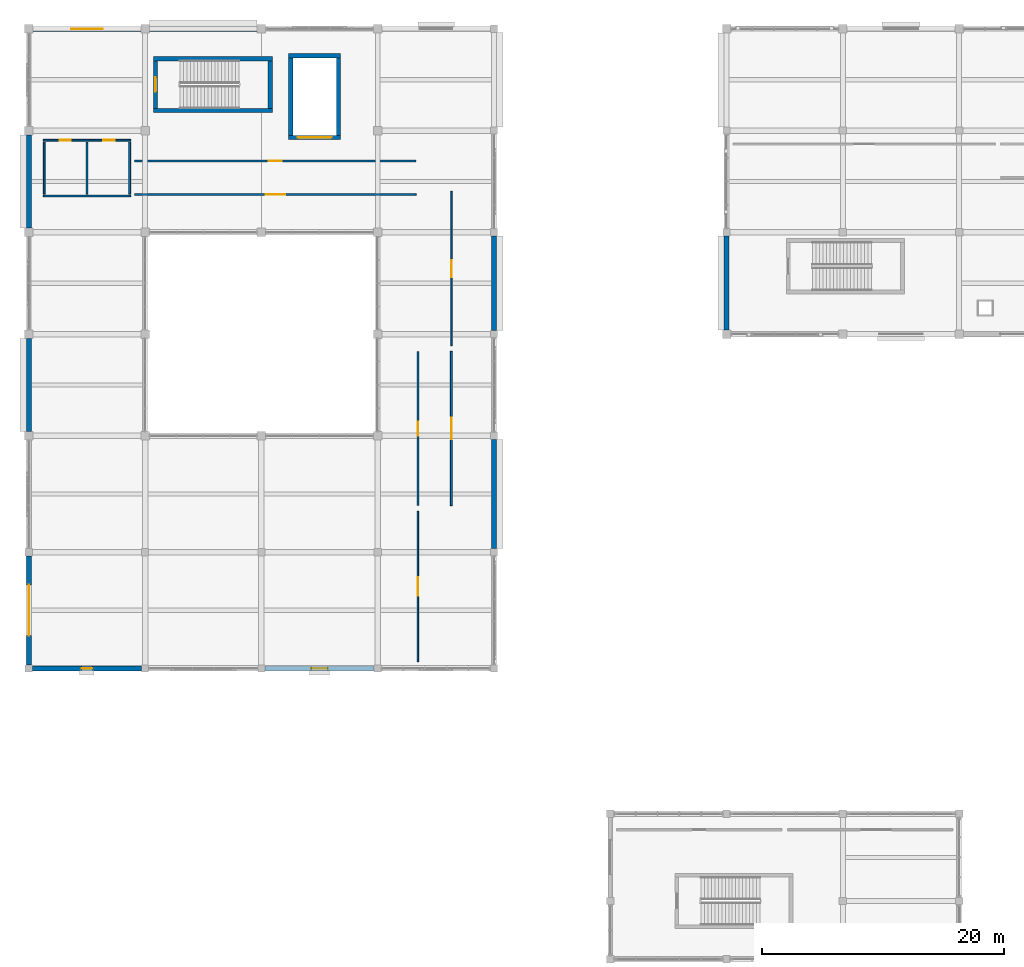
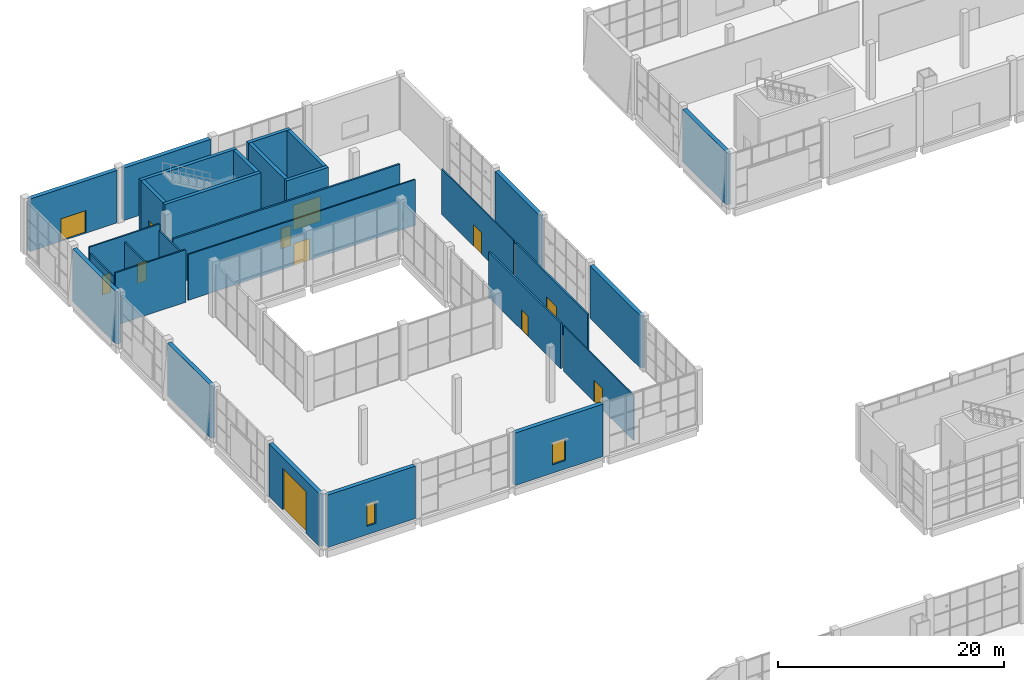
# One storey, part 56 of 84: 29 walls, 12 doors, 2 windows, 14 openings.
"""IFC4 building model written with IfcOpenShell, lengths in metres."""

from ifc_helpers import new_model, si_unit, direction, frame, frame_2d, origin, place, context, subcontext, project, spatial, rectangle, extrude, material, layer, layer_set, type_object, element, fill, save


model = new_model("IFC4")

# Units and contexts
model_context = context("Model", 3, precision=1e-05, world=origin(), true_north=direction((0.0, 1.0)))
body_context = subcontext(model_context, "Body", "Model", "MODEL_VIEW")
ifc_project = project(units=[si_unit("LENGTHUNIT", "METRE"), si_unit("AREAUNIT", "SQUARE_METRE"), si_unit("VOLUMEUNIT", "CUBIC_METRE"), si_unit("PLANEANGLEUNIT", "RADIAN"), si_unit("MASSUNIT", "GRAM", prefix="KILO")], contexts=[model_context])

# Site, building, storey
site_placement = place(None, origin())
site = spatial("IfcSite", under=ifc_project, at=site_placement, CompositionType="ELEMENT")
building_placement = place(site_placement, origin())
building = spatial("IfcBuilding", under=site, at=building_placement, Name="Shalvenor Court Art Gallery", CompositionType="ELEMENT")
storey_placement = place(building_placement, origin())
storey = spatial("IfcBuildingStorey", under=building, at=storey_placement, Name="L00", CompositionType="ELEMENT", Elevation=0.0)

# Walls
ifc_material_1 = material(Name="Concrete C40/50", Category="concrete")
ifc_layer_1 = layer(ifc_material_1, 0.35009765625, Name="Concrete C40/50")
ifc_layer_set_1 = layer_set([ifc_layer_1], Name="Concrete C40/50")
wall_type_1 = type_object("IfcWallType", Name="CW-W1", PredefinedType="SHEAR", material=ifc_layer_set_1)
wall_1_placement = place(storey_placement, frame((10.2880859375, 119.93701171875, 0.0), z_axis=(0.0, 0.0, 1.0), x_axis=(1.0, 0.0, 0.0)))
element("IfcWall", 1, at=wall_1_placement, inside=storey, type_object=wall_type_1, Name="L00 C6 Stair Core Shear Wall N", PredefinedType="SHEAR", context=body_context, shape_type="SweptSolid", body=[
    extrude(rectangle(XDim=9.823974609375, YDim=0.35009765625, at=frame_2d((4.912109375, 0.0))), origin(), (0.0, 0.0, 1.0), 5.679931640625),
])
wall_2_placement = place(storey_placement, frame((19.93701171875, 119.761962890625, 0.0), z_axis=(0.0, 0.0, 1.0), x_axis=(0.0, -1.0, 0.0)))
element("IfcWall", 2, at=wall_2_placement, inside=storey, type_object=wall_type_1, Name="L00 C6 Stair Core Shear Wall E", PredefinedType="SHEAR", context=body_context, shape_type="SweptSolid", body=[
    extrude(rectangle(XDim=3.924072265625, YDim=0.35009765625, at=frame_2d((1.9619140625, 0.0))), origin(), (0.0, 0.0, 1.0), 5.679931640625),
])
wall_3_placement = place(storey_placement, frame((20.112060546875, 115.6630859375, 0.0), z_axis=(0.0, 0.0, 1.0), x_axis=(-1.0, 0.0, 0.0)))
element("IfcWall", 3, at=wall_3_placement, inside=storey, type_object=wall_type_1, Name="L00 C6 Stair Core Shear Wall S", PredefinedType="SHEAR", context=body_context, shape_type="SweptSolid", body=[
    extrude(rectangle(XDim=9.823974609375, YDim=0.35009765625, at=frame_2d((4.912109375, 0.0))), origin(), (0.0, 0.0, 1.0), 5.679931640625),
])

# Wall, opening, door
wall_4_placement = place(storey_placement, frame((10.462890625, 115.837890625, 0.0), z_axis=(0.0, 0.0, 1.0), x_axis=(0.0, 1.0, 0.0)))
wall_4 = element("IfcWall", 4, at=wall_4_placement, inside=storey, type_object=wall_type_1, Name="L00 C6 Stair Core Shear Wall W", PredefinedType="SHEAR", context=body_context, shape_type="SweptSolid", body=[
    extrude(rectangle(XDim=3.924072265625, YDim=0.35009765625, at=frame_2d((1.9619140625, 0.0))), origin(), (0.0, 0.0, 1.0), 5.679931640625),
])
opening_1_placement = place(wall_4_placement, frame((1.362060546875, 0.0, 0.0)))
opening_1 = element("IfcOpeningElement", 5, at=opening_1_placement, cuts=wall_4, Name="Opening FD-01", PredefinedType="OPENING", context=body_context, shape_type="SweptSolid", body=[
    extrude(rectangle(XDim=1.199951171875, YDim=2.199951171875, at=frame_2d((0.60009765625, 1.10009765625))), frame((0.0, 0.18505859375, 0.0), z_axis=(0.0, -1.0, 0.0), x_axis=(1.0, 0.0, 0.0)), (0.0, 0.0, 1.0), 0.3701171875),
])
ifc_material_2 = material(Name="Fire-rated steel stair doorset", Category="steel")
door_type_1 = type_object("IfcDoorType", Name="FD-01", OperationType="NOTDEFINED", PredefinedType="DOOR", material=ifc_material_2)
door_1_placement = place(opening_1_placement, origin())
door_1 = element("IfcDoor", 6, at=door_1_placement, inside=storey, type_object=door_type_1, Name="DR-ST-L00-C6 L00 ST-06 Fire Stair Door", OperationType="SINGLE_SWING_RIGHT", OverallHeight=2.199951171875, OverallWidth=1.199951171875, PredefinedType="DOOR", context=body_context, shape_type="SweptSolid", body=[
    extrude(rectangle(XDim=1.199951171875, YDim=2.199951171875, at=frame_2d((0.60009765625, 1.10009765625))), frame((0.0, 0.02490234375, 0.0), z_axis=(0.0, -1.0, 0.0), x_axis=(1.0, 0.0, 0.0)), (0.0, 0.0, 1.0), 0.050048828125),
])
fill(opening_1, door_1)

# Walls
wall_5_placement = place(storey_placement, frame((21.449951171875, 120.175048828125, 0.0), z_axis=(0.0, 0.0, 1.0), x_axis=(1.0, 0.0, 0.0)))
element("IfcWall", 7, at=wall_5_placement, inside=storey, type_object=wall_type_1, Name="L00 GL-01 Lift Shaft Wall N", PredefinedType="SHEAR", context=body_context, shape_type="SweptSolid", body=[
    extrude(rectangle(XDim=4.300048828125, YDim=0.35009765625, at=frame_2d((2.14990234375, 0.0))), origin(), (0.0, 0.0, 1.0), 5.679931640625),
])
wall_6_placement = place(storey_placement, frame((25.574951171875, 120.0, 0.0), z_axis=(0.0, 0.0, 1.0), x_axis=(0.0, -1.0, 0.0)))
element("IfcWall", 8, at=wall_6_placement, inside=storey, type_object=wall_type_1, Name="L00 GL-01 Lift Shaft Wall E", PredefinedType="SHEAR", context=body_context, shape_type="SweptSolid", body=[
    extrude(rectangle(XDim=6.39990234375, YDim=0.35009765625, at=frame_2d((3.199951171875, 0.0))), origin(), (0.0, 0.0, 1.0), 5.679931640625),
])

# Wall, opening, door
wall_7_placement = place(storey_placement, frame((25.75, 113.425048828125, 0.0), z_axis=(0.0, 0.0, 1.0), x_axis=(-1.0, 0.0, 0.0)))
wall_7 = element("IfcWall", 9, at=wall_7_placement, inside=storey, type_object=wall_type_1, Name="L00 GL-01 Lift Shaft Wall S", PredefinedType="SHEAR", context=body_context, shape_type="SweptSolid", body=[
    extrude(rectangle(XDim=4.300048828125, YDim=0.35009765625, at=frame_2d((2.14990234375, 0.0))), origin(), (0.0, 0.0, 1.0), 5.679931640625),
])
opening_2_placement = place(wall_7_placement, frame((0.75, 0.0, 0.0)))
opening_2 = element("IfcOpeningElement", 10, at=opening_2_placement, cuts=wall_7, Name="Opening LD-03", PredefinedType="OPENING", context=body_context, shape_type="SweptSolid", body=[
    extrude(rectangle(XDim=2.800048828125, YDim=2.699951171875, at=frame_2d((1.39990234375, 1.35009765625))), frame((0.0, 0.18505859375, 0.0), z_axis=(0.0, -1.0, 0.0), x_axis=(1.0, 0.0, 0.0)), (0.0, 0.0, 1.0), 0.3701171875),
])
ifc_material_3 = material(Name="Heavy-duty clean-art freight lift sliding landing door", Category="steel")
door_type_2 = type_object("IfcDoorType", Name="LD-03", OperationType="NOTDEFINED", PredefinedType="DOOR", material=ifc_material_3)
door_2_placement = place(opening_2_placement, origin())
door_2 = element("IfcDoor", 11, at=door_2_placement, inside=storey, type_object=door_type_2, Name="DR-LD-L00-GL-01 L00 GL-01 Lift Landing Sliding Door", OperationType="DOUBLE_DOOR_SLIDING", OverallHeight=2.699951171875, OverallWidth=2.800048828125, PredefinedType="DOOR", context=body_context, shape_type="SweptSolid", body=[
    extrude(rectangle(XDim=2.800048828125, YDim=2.699951171875, at=frame_2d((1.39990234375, 1.35009765625))), frame((0.0, 0.02490234375, 0.0), z_axis=(0.0, -1.0, 0.0), x_axis=(1.0, 0.0, 0.0)), (0.0, 0.0, 1.0), 0.050048828125),
])
fill(opening_2, door_2)

# Walls
wall_8_placement = place(storey_placement, frame((21.625, 113.60009765625, 0.0), z_axis=(0.0, 0.0, 1.0), x_axis=(0.0, 1.0, 0.0)))
element("IfcWall", 12, at=wall_8_placement, inside=storey, type_object=wall_type_1, Name="L00 GL-01 Lift Shaft Wall W", PredefinedType="SHEAR", context=body_context, shape_type="SweptSolid", body=[
    extrude(rectangle(XDim=6.39990234375, YDim=0.35009765625, at=frame_2d((3.199951171875, 0.0))), origin(), (0.0, 0.0, 1.0), 5.679931640625),
])
ifc_material_4 = material(Name="Concrete C40/50", Category="concrete")
ifc_layer_2 = layer(ifc_material_4, 0.419921875, Name="Concrete C40/50")
ifc_layer_set_2 = layer_set([ifc_layer_2], Name="Concrete C40/50")
wall_type_2 = type_object("IfcWallType", Name="EW-02", PredefinedType="SOLIDWALL", material=ifc_layer_set_2)
wall_9_placement = place(storey_placement, frame((57.60009765625, 97.550048828125, 0.0), z_axis=(0.0, 0.0, 1.0), x_axis=(0.0, 1.0, 0.0)))
element("IfcWall", 13, at=wall_9_placement, inside=storey, type_object=wall_type_2, Name="L00 V2 Exterior Wall WL-L00-0130", PredefinedType="SOLIDWALL", context=body_context, shape_type="SweptSolid", body=[
    extrude(rectangle(XDim=7.75, YDim=0.419921875, at=frame_2d((3.875, 0.0))), origin(), (0.0, 0.0, 1.0), 5.679931640625),
])

# Wall, opening, door
wall_10_placement = place(storey_placement, frame((0.35009765625, 122.39990234375, 0.0), z_axis=(0.0, 0.0, 1.0), x_axis=(1.0, 0.0, 0.0)))
wall_10 = element("IfcWall", 14, at=wall_10_placement, inside=storey, type_object=wall_type_2, Name="L00 V5 Exterior Wall WL-L00-0282", PredefinedType="SOLIDWALL", context=body_context, shape_type="SweptSolid", body=[
    extrude(rectangle(XDim=8.89990234375, YDim=0.419921875, at=frame_2d((4.449951171875, 0.0))), origin(), (0.0, 0.0, 1.0), 5.679931640625),
])
opening_3_placement = place(wall_10_placement, frame((3.14990234375, 0.0, 0.0)))
opening_3 = element("IfcOpeningElement", 15, at=opening_3_placement, cuts=wall_10, Name="Opening ED-05", PredefinedType="OPENING", context=body_context, shape_type="SweptSolid", body=[
    extrude(rectangle(XDim=2.60009765625, YDim=2.449951171875, at=frame_2d((1.300048828125, 1.22509765625))), frame((0.0, 0.219970703125, 0.0), z_axis=(0.0, -1.0, 0.0), x_axis=(1.0, 0.0, 0.0)), (0.0, 0.0, 1.0), 0.43994140625),
])
ifc_material_5 = material(Name="Anodised bronze glazed exit doorset", Category="aluminium")
door_type_3 = type_object("IfcDoorType", Name="ED-05", OperationType="NOTDEFINED", PredefinedType="DOOR", material=ifc_material_5)
door_3_placement = place(opening_3_placement, origin())
door_3 = element("IfcDoor", 16, at=door_3_placement, inside=storey, type_object=door_type_3, Name="DR-EX-20 L00 Pedestrian Final Exit Door", OperationType="DOUBLE_DOOR_SINGLE_SWING", OverallHeight=2.449951171875, OverallWidth=2.60009765625, PredefinedType="DOOR", context=body_context, shape_type="SweptSolid", body=[
    extrude(rectangle(XDim=2.60009765625, YDim=2.449951171875, at=frame_2d((1.300048828125, 1.22509765625))), frame((0.0, 0.02490234375, 0.0), z_axis=(0.0, -1.0, 0.0), x_axis=(1.0, 0.0, 0.0)), (0.0, 0.0, 1.0), 0.050048828125),
])
fill(opening_3, door_3)

# Walls
wall_11_placement = place(storey_placement, frame((9.949951171875, 122.39990234375, 0.0), z_axis=(0.0, 0.0, 1.0), x_axis=(1.0, 0.0, 0.0)))
element("IfcWall", 17, at=wall_11_placement, inside=storey, type_object=wall_type_2, Name="L00 V5 Exterior Wall WL-L00-0283", PredefinedType="SOLIDWALL", context=body_context, shape_type="SweptSolid", body=[
    extrude(rectangle(XDim=8.900146484375, YDim=0.419921875, at=frame_2d((4.4501953125, 0.0))), origin(), (0.0, 0.0, 1.0), 5.679931640625),
])
wall_12_placement = place(storey_placement, frame((38.39990234375, 105.300048828125, 0.0), z_axis=(0.0, 0.0, 1.0), x_axis=(0.0, -1.0, 0.0)))
element("IfcWall", 18, at=wall_12_placement, inside=storey, type_object=wall_type_2, Name="L00 V5 Exterior Wall WL-L00-0286", PredefinedType="SOLIDWALL", context=body_context, shape_type="SweptSolid", body=[
    extrude(rectangle(XDim=7.800048828125, YDim=0.419921875, at=frame_2d((3.89990234375, 0.0))), origin(), (0.0, 0.0, 1.0), 5.679931640625),
])
wall_13_placement = place(storey_placement, frame((38.39990234375, 88.5, 0.0), z_axis=(0.0, 0.0, 1.0), x_axis=(0.0, -1.0, 0.0)))
element("IfcWall", 19, at=wall_13_placement, inside=storey, type_object=wall_type_2, Name="L00 V5 Exterior Wall WL-L00-0287", PredefinedType="SOLIDWALL", context=body_context, shape_type="SweptSolid", body=[
    extrude(rectangle(XDim=9.0, YDim=0.419921875, at=frame_2d((4.5, 0.0))), origin(), (0.0, 0.0, 1.0), 5.679931640625),
])

# Wall, opening, window
wall_14_placement = place(storey_placement, frame((28.5, 69.60009765625, 0.0), z_axis=(0.0, 0.0, 1.0), x_axis=(-1.0, 0.0, 0.0)))
wall_14 = element("IfcWall", 20, at=wall_14_placement, inside=storey, type_object=wall_type_2, Name="L00 V5 Exterior Wall WL-L00-0288", PredefinedType="SOLIDWALL", context=body_context, shape_type="SweptSolid", body=[
    extrude(rectangle(XDim=9.0, YDim=0.419921875, at=frame_2d((4.5, 0.0))), origin(), (0.0, 0.0, 1.0), 5.679931640625),
])
opening_4_placement = place(wall_14_placement, frame((3.824951171875, 0.0, 0.89990234375)))
opening_4 = element("IfcOpeningElement", 21, at=opening_4_placement, cuts=wall_14, Name="Opening WN-13", PredefinedType="OPENING", context=body_context, shape_type="SweptSolid", body=[
    extrude(rectangle(XDim=1.35009765625, YDim=2.39990234375, at=frame_2d((0.675048828125, 1.199951171875))), frame((0.0, 0.219970703125, 0.0), z_axis=(0.0, -1.0, 0.0), x_axis=(1.0, 0.0, 0.0)), (0.0, 0.0, 1.0), 0.43994140625),
])
ifc_material_6 = material(Name="Deep-reveal slot limestone window IGU", Category="masonry")
window_type_1 = type_object("IfcWindowType", Name="WN-13", PartitioningType="SINGLE_PANEL", PredefinedType="WINDOW", material=ifc_material_6)
window_1_placement = place(opening_4_placement, origin())
window_1 = element("IfcWindow", 22, at=window_1_placement, inside=storey, type_object=window_type_1, Name="L00 Window WIN-L00-0057", OverallHeight=2.39990234375, OverallWidth=1.35009765625, PartitioningType="SINGLE_PANEL", PredefinedType="WINDOW", context=body_context, shape_type="SweptSolid", body=[
    extrude(rectangle(XDim=1.35009765625, YDim=2.39990234375, at=frame_2d((0.675048828125, 1.199951171875))), frame((0.0, 0.030029296875, 0.0), z_axis=(0.0, -1.0, 0.0), x_axis=(1.0, 0.0, 0.0)), (0.0, 0.0, 1.0), 0.06005859375),
])
fill(opening_4, window_1)

wall_15_placement = place(storey_placement, frame((9.300048828125, 69.60009765625, 0.0), z_axis=(0.0, 0.0, 1.0), x_axis=(-1.0, 0.0, 0.0)))
wall_15 = element("IfcWall", 23, at=wall_15_placement, inside=storey, type_object=wall_type_2, Name="L00 V5 Exterior Wall WL-L00-0289", PredefinedType="SOLIDWALL", context=body_context, shape_type="SweptSolid", body=[
    extrude(rectangle(XDim=9.0, YDim=0.419921875, at=frame_2d((4.5, 0.0))), origin(), (0.0, 0.0, 1.0), 5.679931640625),
])
opening_5_placement = place(wall_15_placement, frame((4.050048828125, 0.0, 0.89990234375)))
opening_5 = element("IfcOpeningElement", 24, at=opening_5_placement, cuts=wall_15, Name="Opening WN-14", PredefinedType="OPENING", context=body_context, shape_type="SweptSolid", body=[
    extrude(rectangle(XDim=0.89990234375, YDim=2.39990234375, at=frame_2d((0.449951171875, 1.199951171875))), frame((0.0, 0.219970703125, 0.0), z_axis=(0.0, -1.0, 0.0), x_axis=(1.0, 0.0, 0.0)), (0.0, 0.0, 1.0), 0.43994140625),
])
ifc_material_7 = material(Name="Deep-reveal slot limestone window IGU", Category="masonry")
window_type_2 = type_object("IfcWindowType", Name="WN-14", PartitioningType="SINGLE_PANEL", PredefinedType="WINDOW", material=ifc_material_7)
window_2_placement = place(opening_5_placement, origin())
window_2 = element("IfcWindow", 25, at=window_2_placement, inside=storey, type_object=window_type_2, Name="L00 Window WIN-L00-0058", OverallHeight=2.39990234375, OverallWidth=0.89990234375, PartitioningType="SINGLE_PANEL", PredefinedType="WINDOW", context=body_context, shape_type="SweptSolid", body=[
    extrude(rectangle(XDim=0.89990234375, YDim=2.39990234375, at=frame_2d((0.449951171875, 1.199951171875))), frame((0.0, 0.030029296875, 0.0), z_axis=(0.0, -1.0, 0.0), x_axis=(1.0, 0.0, 0.0)), (0.0, 0.0, 1.0), 0.06005859375),
])
fill(opening_5, window_2)

# Wall, opening, door
wall_16_placement = place(storey_placement, frame((0.0, 69.89990234375, 0.0), z_axis=(0.0, 0.0, 1.0), x_axis=(0.0, 1.0, 0.0)))
wall_16 = element("IfcWall", 26, at=wall_16_placement, inside=storey, type_object=wall_type_2, Name="L00 V5 Exterior Wall WL-L00-0290", PredefinedType="SOLIDWALL", context=body_context, shape_type="SweptSolid", body=[
    extrude(rectangle(XDim=9.0, YDim=0.419921875, at=frame_2d((4.5, 0.0))), origin(), (0.0, 0.0, 1.0), 5.679931640625),
])
opening_6_placement = place(wall_16_placement, frame((2.39990234375, 0.0, 0.0)))
opening_6 = element("IfcOpeningElement", 27, at=opening_6_placement, cuts=wall_16, Name="Opening SH-01", PredefinedType="OPENING", context=body_context, shape_type="SweptSolid", body=[
    extrude(rectangle(XDim=4.199951171875, YDim=4.5, at=frame_2d((2.10009765625, 2.25))), frame((0.0, 0.219970703125, 0.0), z_axis=(0.0, -1.0, 0.0), x_axis=(1.0, 0.0, 0.0)), (0.0, 0.0, 1.0), 0.43994140625),
])
ifc_material_8 = material(Name="Insulated steel acoustic loading shutter", Category="steel")
door_type_4 = type_object("IfcDoorType", Name="SH-01", OperationType="ROLLINGUP", PredefinedType="DOOR", material=ifc_material_8)
door_4_placement = place(opening_6_placement, origin())
door_4 = element("IfcDoor", 28, at=door_4_placement, inside=storey, type_object=door_type_4, Name="DR-SH-047 L00 Art Loading Dock Roller Shutter", OperationType="ROLLINGUP", OverallHeight=4.5, OverallWidth=4.199951171875, PredefinedType="DOOR", context=body_context, shape_type="SweptSolid", body=[
    extrude(rectangle(XDim=4.199951171875, YDim=4.5, at=frame_2d((2.10009765625, 2.25))), frame((0.0, 0.02490234375, 0.0), z_axis=(0.0, -1.0, 0.0), x_axis=(1.0, 0.0, 0.0)), (0.0, 0.0, 1.0), 0.050048828125),
])
fill(opening_6, door_4)

# Walls
wall_17_placement = place(storey_placement, frame((0.0, 89.14990234375, 0.0), z_axis=(0.0, 0.0, 1.0), x_axis=(0.0, 1.0, 0.0)))
element("IfcWall", 29, at=wall_17_placement, inside=storey, type_object=wall_type_2, Name="L00 V5 Exterior Wall WL-L00-0291", PredefinedType="SOLIDWALL", context=body_context, shape_type="SweptSolid", body=[
    extrude(rectangle(XDim=7.7001953125, YDim=0.419921875, at=frame_2d((3.85009765625, 0.0))), origin(), (0.0, 0.0, 1.0), 5.679931640625),
])
wall_18_placement = place(storey_placement, frame((0.0, 105.949951171875, 0.0), z_axis=(0.0, 0.0, 1.0), x_axis=(0.0, 1.0, 0.0)))
element("IfcWall", 30, at=wall_18_placement, inside=storey, type_object=wall_type_2, Name="L00 V5 Exterior Wall WL-L00-0292", PredefinedType="SOLIDWALL", context=body_context, shape_type="SweptSolid", body=[
    extrude(rectangle(XDim=7.699951171875, YDim=0.419921875, at=frame_2d((3.85009765625, 0.0))), origin(), (0.0, 0.0, 1.0), 5.679931640625),
])

# Wall, opening, door
ifc_material_9 = material(Name="Plywood-backed acoustic art-hanging partition", Category="wood")
ifc_layer_3 = layer(ifc_material_9, 0.179931640625, Name="Plywood-backed acoustic art-hanging partition")
ifc_layer_set_3 = layer_set([ifc_layer_3], Name="Plywood-backed acoustic art-hanging partition")
wall_type_3 = type_object("IfcWallType", Name="PT-01", PredefinedType="PARTITIONING", material=ifc_layer_set_3)
wall_19_placement = place(storey_placement, frame((32.1201171875, 95.77001953125, 0.0), z_axis=(0.0, 0.0, 1.0), x_axis=(0.0, -1.0, 0.0)))
wall_19 = element("IfcWall", 31, at=wall_19_placement, inside=storey, type_object=wall_type_3, Name="L00 Crate Acclimatisation Hall Partition 613", PredefinedType="PARTITIONING", context=body_context, shape_type="SweptSolid", body=[
    extrude(rectangle(XDim=12.739990234375, YDim=0.179931640625, at=frame_2d((6.3701171875, 0.0))), origin(), (0.0, 0.0, 1.0), 4.905029296875),
])
opening_7_placement = place(wall_19_placement, frame((5.794921875, 0.0, 0.0)))
opening_7 = element("IfcOpeningElement", 32, at=opening_7_placement, cuts=wall_19, Name="Opening ID-10", PredefinedType="OPENING", context=body_context, shape_type="SweptSolid", body=[
    extrude(rectangle(XDim=1.14990234375, YDim=2.199951171875, at=frame_2d((0.574951171875, 1.10009765625))), frame((0.0, 0.099853515625, 0.0), z_axis=(0.0, -1.0, 0.0), x_axis=(1.0, 0.0, 0.0)), (0.0, 0.0, 1.0), 0.199951171875),
])
ifc_material_10 = material(Name="Acoustic conservation lab single doorset", Category="steel")
door_type_5 = type_object("IfcDoorType", Name="ID-10", OperationType="NOTDEFINED", PredefinedType="DOOR", material=ifc_material_10)
door_5_placement = place(opening_7_placement, origin())
door_5 = element("IfcDoor", 33, at=door_5_placement, inside=storey, type_object=door_type_5, Name="DR-RM-L00-0144 L00 Crate Acclimatisation Hall Door", OperationType="SINGLE_SWING_RIGHT", OverallHeight=2.199951171875, OverallWidth=1.14990234375, PredefinedType="DOOR", context=body_context, shape_type="SweptSolid", body=[
    extrude(rectangle(XDim=1.14990234375, YDim=2.199951171875, at=frame_2d((0.574951171875, 1.10009765625))), frame((0.0, 0.02490234375, 0.0), z_axis=(0.0, -1.0, 0.0), x_axis=(1.0, 0.0, 0.0)), (0.0, 0.0, 1.0), 0.050048828125),
])
fill(opening_7, door_5)

wall_20_placement = place(storey_placement, frame((31.969970703125, 111.47998046875, 0.0), z_axis=(0.0, 0.0, 1.0), x_axis=(-1.0, 0.0, 0.0)))
wall_20 = element("IfcWall", 34, at=wall_20_placement, inside=storey, type_object=wall_type_3, Name="L00 Painting Conservation Laboratory Partition 617", PredefinedType="PARTITIONING", context=body_context, shape_type="SweptSolid", body=[
    extrude(rectangle(XDim=23.239990234375, YDim=0.179931640625, at=frame_2d((11.6201171875, 0.0))), origin(), (0.0, 0.0, 1.0), 4.955078125),
])
opening_8_placement = place(wall_20_placement, frame((11.094970703125, 0.0, 0.0)))
opening_8 = element("IfcOpeningElement", 35, at=opening_8_placement, cuts=wall_20, Name="Opening ID-04", PredefinedType="OPENING", context=body_context, shape_type="SweptSolid", body=[
    extrude(rectangle(XDim=1.050048828125, YDim=2.199951171875, at=frame_2d((0.52490234375, 1.10009765625))), frame((0.0, 0.099853515625, 0.0), z_axis=(0.0, -1.0, 0.0), x_axis=(1.0, 0.0, 0.0)), (0.0, 0.0, 1.0), 0.199951171875),
])
ifc_material_11 = material(Name="Oak-veneered accessible room doorset", Category="wood")
door_type_6 = type_object("IfcDoorType", Name="ID-04", OperationType="NOTDEFINED", PredefinedType="DOOR", material=ifc_material_11)
door_6_placement = place(opening_8_placement, origin())
door_6 = element("IfcDoor", 36, at=door_6_placement, inside=storey, type_object=door_type_6, Name="DR-RM-L00-0148 L00 Painting Conservation Laboratory Door", OperationType="SINGLE_SWING_LEFT", OverallHeight=2.199951171875, OverallWidth=1.050048828125, PredefinedType="DOOR", context=body_context, shape_type="SweptSolid", body=[
    extrude(rectangle(XDim=1.050048828125, YDim=2.199951171875, at=frame_2d((0.52490234375, 1.10009765625))), frame((0.0, 0.02490234375, 0.0), z_axis=(0.0, -1.0, 0.0), x_axis=(1.0, 0.0, 0.0)), (0.0, 0.0, 1.0), 0.050048828125),
])
fill(opening_8, door_6)

ifc_material_12 = material(Name="Double-stud acoustic gallery partition", Category="other")
ifc_layer_4 = layer(ifc_material_12, 0.1650390625, Name="Double-stud acoustic gallery partition")
ifc_layer_set_4 = layer_set([ifc_layer_4], Name="Double-stud acoustic gallery partition")
wall_type_4 = type_object("IfcWallType", Name="PT-02", PredefinedType="PARTITIONING", material=ifc_layer_set_4)
wall_21_placement = place(storey_placement, frame((34.8798828125, 83.030029296875, 0.0), z_axis=(0.0, 0.0, 1.0), x_axis=(0.0, 1.0, 0.0)))
wall_21 = element("IfcWall", 37, at=wall_21_placement, inside=storey, type_object=wall_type_4, Name="L00 Crate Acclimatisation Hall Wing B Partition 614", PredefinedType="PARTITIONING", context=body_context, shape_type="SweptSolid", body=[
    extrude(rectangle(XDim=12.739990234375, YDim=0.1650390625, at=frame_2d((6.3701171875, 0.0))), origin(), (0.0, 0.0, 1.0), 4.905029296875),
])
opening_9_placement = place(wall_21_placement, frame((5.469970703125, 0.0, 0.0)))
opening_9 = element("IfcOpeningElement", 38, at=opening_9_placement, cuts=wall_21, Name="Opening ID-01", PredefinedType="OPENING", context=body_context, shape_type="SweptSolid", body=[
    extrude(rectangle(XDim=1.800048828125, YDim=2.39990234375, at=frame_2d((0.89990234375, 1.199951171875))), frame((0.0, 0.092529296875, 0.0), z_axis=(0.0, -1.0, 0.0), x_axis=(1.0, 0.0, 0.0)), (0.0, 0.0, 1.0), 0.18505859375),
])
ifc_material_13 = material(Name="Oak-veneered acoustic gallery double doorset", Category="wood")
door_type_7 = type_object("IfcDoorType", Name="ID-01", OperationType="NOTDEFINED", PredefinedType="DOOR", material=ifc_material_13)
door_7_placement = place(opening_9_placement, origin())
door_7 = element("IfcDoor", 39, at=door_7_placement, inside=storey, type_object=door_type_7, Name="DR-RM-L00-0145 L00 Crate Acclimatisation Hall Wing B Door", OperationType="DOUBLE_DOOR_SINGLE_SWING", OverallHeight=2.39990234375, OverallWidth=1.800048828125, PredefinedType="DOOR", context=body_context, shape_type="SweptSolid", body=[
    extrude(rectangle(XDim=1.800048828125, YDim=2.39990234375, at=frame_2d((0.89990234375, 1.199951171875))), frame((0.0, 0.02490234375, 0.0), z_axis=(0.0, -1.0, 0.0), x_axis=(1.0, 0.0, 0.0)), (0.0, 0.0, 1.0), 0.050048828125),
])
fill(opening_9, door_7)

# Wall, openings, doors
ifc_material_14 = material(Name="Moisture-resistant sanitary partition", Category="other")
ifc_layer_5 = layer(ifc_material_14, 0.14990234375, Name="Moisture-resistant sanitary partition")
ifc_layer_set_5 = layer_set([ifc_layer_5], Name="Moisture-resistant sanitary partition")
wall_type_5 = type_object("IfcWallType", Name="PT-03", PredefinedType="PARTITIONING", material=ifc_layer_set_5)
wall_22_placement = place(storey_placement, frame((1.199951171875, 113.199951171875, 0.0), z_axis=(0.0, 0.0, 1.0), x_axis=(1.0, 0.0, 0.0)))
wall_22 = element("IfcWall", 40, at=wall_22_placement, inside=storey, type_object=wall_type_5, Name="L00 C6 Restroom Front Partition", PredefinedType="PARTITIONING", context=body_context, shape_type="SweptSolid", body=[
    extrude(rectangle(XDim=7.199951171875, YDim=0.14990234375, at=frame_2d((3.60009765625, 0.0))), origin(), (0.0, 0.0, 1.0), 5.679931640625),
])
opening_10_placement = place(wall_22_placement, frame((1.35009765625, 0.0, 0.0)))
opening_10 = element("IfcOpeningElement", 41, at=opening_10_placement, cuts=wall_22, Name="Opening ID-07", PredefinedType="OPENING", context=body_context, shape_type="SweptSolid", body=[
    extrude(rectangle(XDim=0.89990234375, YDim=2.10009765625, at=frame_2d((0.449951171875, 1.050048828125))), frame((0.0, 0.0849609375, 0.0), z_axis=(0.0, -1.0, 0.0), x_axis=(1.0, 0.0, 0.0)), (0.0, 0.0, 1.0), 0.169921875),
])
opening_11_placement = place(wall_22_placement, frame((4.925048828125, 0.0, 0.0)))
opening_11 = element("IfcOpeningElement", 42, at=opening_11_placement, cuts=wall_22, Name="Opening ID-06", PredefinedType="OPENING", context=body_context, shape_type="SweptSolid", body=[
    extrude(rectangle(XDim=0.949951171875, YDim=2.14990234375, at=frame_2d((0.47509765625, 1.074951171875))), frame((0.0, 0.0849609375, 0.0), z_axis=(0.0, -1.0, 0.0), x_axis=(1.0, 0.0, 0.0)), (0.0, 0.0, 1.0), 0.169921875),
])
ifc_material_15 = material(Name="Accessible restroom doorset", Category="steel")
door_type_8 = type_object("IfcDoorType", Name="ID-06", OperationType="NOTDEFINED", PredefinedType="DOOR", material=ifc_material_15)
door_8_placement = place(opening_11_placement, origin())
door_8 = element("IfcDoor", 43, at=door_8_placement, inside=storey, type_object=door_type_8, Name="DR-AWC-L00-C6-2 L00 C6 Accessible Restroom Door", OperationType="SINGLE_SWING_RIGHT", OverallHeight=2.14990234375, OverallWidth=0.949951171875, PredefinedType="DOOR", context=body_context, shape_type="SweptSolid", body=[
    extrude(rectangle(XDim=0.949951171875, YDim=2.14990234375, at=frame_2d((0.47509765625, 1.074951171875))), frame((0.0, 0.02490234375, 0.0), z_axis=(0.0, -1.0, 0.0), x_axis=(1.0, 0.0, 0.0)), (0.0, 0.0, 1.0), 0.050048828125),
])
fill(opening_11, door_8)
ifc_material_16 = material(Name="Restroom timber doorset", Category="wood")
door_type_9 = type_object("IfcDoorType", Name="ID-07", OperationType="NOTDEFINED", PredefinedType="DOOR", material=ifc_material_16)
door_9_placement = place(opening_10_placement, origin())
door_9 = element("IfcDoor", 44, at=door_9_placement, inside=storey, type_object=door_type_9, Name="DR-WC-L00-C6-1 L00 C6 Public Restroom Door", OperationType="SINGLE_SWING_LEFT", OverallHeight=2.10009765625, OverallWidth=0.89990234375, PredefinedType="DOOR", context=body_context, shape_type="SweptSolid", body=[
    extrude(rectangle(XDim=0.89990234375, YDim=2.10009765625, at=frame_2d((0.449951171875, 1.050048828125))), frame((0.0, 0.02490234375, 0.0), z_axis=(0.0, -1.0, 0.0), x_axis=(1.0, 0.0, 0.0)), (0.0, 0.0, 1.0), 0.050048828125),
])
fill(opening_10, door_9)

# Walls
wall_23_placement = place(storey_placement, frame((1.199951171875, 108.60009765625, 0.0), z_axis=(0.0, 0.0, 1.0), x_axis=(1.0, 0.0, 0.0)))
element("IfcWall", 45, at=wall_23_placement, inside=storey, type_object=wall_type_5, Name="L00 C6 Restroom Back Partition", PredefinedType="PARTITIONING", context=body_context, shape_type="SweptSolid", body=[
    extrude(rectangle(XDim=7.199951171875, YDim=0.14990234375, at=frame_2d((3.60009765625, 0.0))), origin(), (0.0, 0.0, 1.0), 5.679931640625),
])
for number, where, z_axis, x_axis, name in (
    (46, (1.27490234375, 108.760009765625, 0.0), (0.0, 0.0, 1.0), (0.0, 1.0, 0.0), "L00 C6 Restroom Partition L"),
    (47, (4.800048828125, 108.760009765625, 0.0), (0.0, 0.0, 1.0), (0.0, 1.0, 0.0), "L00 C6 Restroom Partition M"),
    (48, (8.324951171875, 108.760009765625, 0.0), (0.0, 0.0, 1.0), (0.0, 1.0, 0.0), "L00 C6 Restroom Partition R"),
):
    element("IfcWall", number, at=place(storey_placement, frame(where, z_axis=z_axis, x_axis=x_axis)), inside=storey, type_object=wall_type_5, Name=name, PredefinedType="PARTITIONING", context=body_context, shape_type="SweptSolid", body=[
        extrude(rectangle(XDim=4.280029296875, YDim=0.14990234375, at=frame_2d((2.14013671875, 0.0))), origin(), (0.0, 0.0, 1.0), 5.054931640625),
    ])

# Wall, opening, door
ifc_material_17 = material(Name="Insulated studio acoustic partition", Category="other")
ifc_layer_6 = layer(ifc_material_17, 0.135009765625, Name="Insulated studio acoustic partition")
ifc_layer_set_6 = layer_set([ifc_layer_6], Name="Insulated studio acoustic partition")
wall_type_6 = type_object("IfcWallType", Name="PT-04", PredefinedType="PARTITIONING", material=ifc_layer_set_6)
wall_24_placement = place(storey_placement, frame((8.72998046875, 108.719970703125, 0.0), z_axis=(0.0, 0.0, 1.0), x_axis=(1.0, 0.0, 0.0)))
wall_24 = element("IfcWall", 49, at=wall_24_placement, inside=storey, type_object=wall_type_6, Name="L00 Education Art Workshop Partition 615", PredefinedType="PARTITIONING", context=body_context, shape_type="SweptSolid", body=[
    extrude(rectangle(XDim=23.239990234375, YDim=0.135009765625, at=frame_2d((11.6201171875, 0.0))), origin(), (0.0, 0.0, 1.0), 4.955078125),
])
opening_12_placement = place(wall_24_placement, frame((10.820068359375, 0.0, 0.0)))
opening_12 = element("IfcOpeningElement", 50, at=opening_12_placement, cuts=wall_24, Name="Opening ID-02", PredefinedType="OPENING", context=body_context, shape_type="SweptSolid", body=[
    extrude(rectangle(XDim=1.60009765625, YDim=2.35009765625, at=frame_2d((0.800048828125, 1.175048828125))), frame((0.0, 0.077392578125, 0.0), z_axis=(0.0, -1.0, 0.0), x_axis=(1.0, 0.0, 0.0)), (0.0, 0.0, 1.0), 0.155029296875),
])
ifc_material_18 = material(Name="Oak-veneered gallery double doorset", Category="wood")
door_type_10 = type_object("IfcDoorType", Name="ID-02", OperationType="NOTDEFINED", PredefinedType="DOOR", material=ifc_material_18)
door_10_placement = place(opening_12_placement, origin())
door_10 = element("IfcDoor", 51, at=door_10_placement, inside=storey, type_object=door_type_10, Name="DR-RM-L00-0146 L00 Education Art Workshop Door", OperationType="DOUBLE_DOOR_SINGLE_SWING", OverallHeight=2.35009765625, OverallWidth=1.60009765625, PredefinedType="DOOR", context=body_context, shape_type="SweptSolid", body=[
    extrude(rectangle(XDim=1.60009765625, YDim=2.35009765625, at=frame_2d((0.800048828125, 1.175048828125))), frame((0.0, 0.02490234375, 0.0), z_axis=(0.0, -1.0, 0.0), x_axis=(1.0, 0.0, 0.0)), (0.0, 0.0, 1.0), 0.050048828125),
])
fill(opening_12, door_10)

ifc_material_19 = material(Name="Lightweight office gypsum partition", Category="other")
ifc_layer_7 = layer(ifc_material_19, 0.1201171875, Name="Lightweight office gypsum partition")
ifc_layer_set_7 = layer_set([ifc_layer_7], Name="Lightweight office gypsum partition")
wall_type_7 = type_object("IfcWallType", Name="PT-05", PredefinedType="PARTITIONING", material=ifc_layer_set_7)
wall_25_placement = place(storey_placement, frame((32.1201171875, 82.570068359375, 0.0), z_axis=(0.0, 0.0, 1.0), x_axis=(0.0, -1.0, 0.0)))
wall_25 = element("IfcWall", 52, at=wall_25_placement, inside=storey, type_object=wall_type_7, Name="L00 Loading Dock Partition 612", PredefinedType="PARTITIONING", context=body_context, shape_type="SweptSolid", body=[
    extrude(rectangle(XDim=12.420166015625, YDim=0.1201171875, at=frame_2d((6.2099609375, 0.0))), origin(), (0.0, 0.0, 1.0), 4.905029296875),
])
opening_13_placement = place(wall_25_placement, frame((5.4599609375, 0.0, 0.0)))
opening_13 = element("IfcOpeningElement", 53, at=opening_13_placement, cuts=wall_25, Name="Opening ID-09", PredefinedType="OPENING", context=body_context, shape_type="SweptSolid", body=[
    extrude(rectangle(XDim=1.5, YDim=2.300048828125, at=frame_2d((0.75, 1.14990234375))), frame((0.0, 0.070068359375, 0.0), z_axis=(0.0, -1.0, 0.0), x_axis=(1.0, 0.0, 0.0)), (0.0, 0.0, 1.0), 0.14013671875),
])
ifc_material_20 = material(Name="Oak-veneered seminar double doorset", Category="wood")
door_type_11 = type_object("IfcDoorType", Name="ID-09", OperationType="NOTDEFINED", PredefinedType="DOOR", material=ifc_material_20)
door_11_placement = place(opening_13_placement, origin())
door_11 = element("IfcDoor", 54, at=door_11_placement, inside=storey, type_object=door_type_11, Name="DR-RM-L00-0143 L00 Loading Dock Door", OperationType="DOUBLE_DOOR_SINGLE_SWING", OverallHeight=2.300048828125, OverallWidth=1.5, PredefinedType="DOOR", context=body_context, shape_type="SweptSolid", body=[
    extrude(rectangle(XDim=1.5, YDim=2.300048828125, at=frame_2d((0.75, 1.14990234375))), frame((0.0, 0.02490234375, 0.0), z_axis=(0.0, -1.0, 0.0), x_axis=(1.0, 0.0, 0.0)), (0.0, 0.0, 1.0), 0.050048828125),
])
fill(opening_13, door_11)

wall_26_placement = place(storey_placement, frame((34.8798828125, 96.22998046875, 0.0), z_axis=(0.0, 0.0, 1.0), x_axis=(0.0, 1.0, 0.0)))
wall_26 = element("IfcWall", 55, at=wall_26_placement, inside=storey, type_object=wall_type_7, Name="L00 Education Art Workshop Wing B Partition 616", PredefinedType="PARTITIONING", context=body_context, shape_type="SweptSolid", body=[
    extrude(rectangle(XDim=12.739990234375, YDim=0.1201171875, at=frame_2d((6.3701171875, 0.0))), origin(), (0.0, 0.0, 1.0), 4.905029296875),
])
opening_14_placement = place(wall_26_placement, frame((5.669921875, 0.0, 0.0)))
opening_14 = element("IfcOpeningElement", 56, at=opening_14_placement, cuts=wall_26, Name="Opening ID-03", PredefinedType="OPENING", context=body_context, shape_type="SweptSolid", body=[
    extrude(rectangle(XDim=1.39990234375, YDim=2.300048828125, at=frame_2d((0.699951171875, 1.14990234375))), frame((0.0, 0.070068359375, 0.0), z_axis=(0.0, -1.0, 0.0), x_axis=(1.0, 0.0, 0.0)), (0.0, 0.0, 1.0), 0.14013671875),
])
ifc_material_21 = material(Name="Timber studio double leaf doorset", Category="wood")
door_type_12 = type_object("IfcDoorType", Name="ID-03", OperationType="NOTDEFINED", PredefinedType="DOOR", material=ifc_material_21)
door_12_placement = place(opening_14_placement, origin())
door_12 = element("IfcDoor", 57, at=door_12_placement, inside=storey, type_object=door_type_12, Name="DR-RM-L00-0147 L00 Education Art Workshop Wing B Door", OperationType="DOUBLE_DOOR_SINGLE_SWING", OverallHeight=2.300048828125, OverallWidth=1.39990234375, PredefinedType="DOOR", context=body_context, shape_type="SweptSolid", body=[
    extrude(rectangle(XDim=1.39990234375, YDim=2.300048828125, at=frame_2d((0.699951171875, 1.14990234375))), frame((0.0, 0.02490234375, 0.0), z_axis=(0.0, -1.0, 0.0), x_axis=(1.0, 0.0, 0.0)), (0.0, 0.0, 1.0), 0.050048828125),
])
fill(opening_14, door_12)

save(model, "model.ifc")
